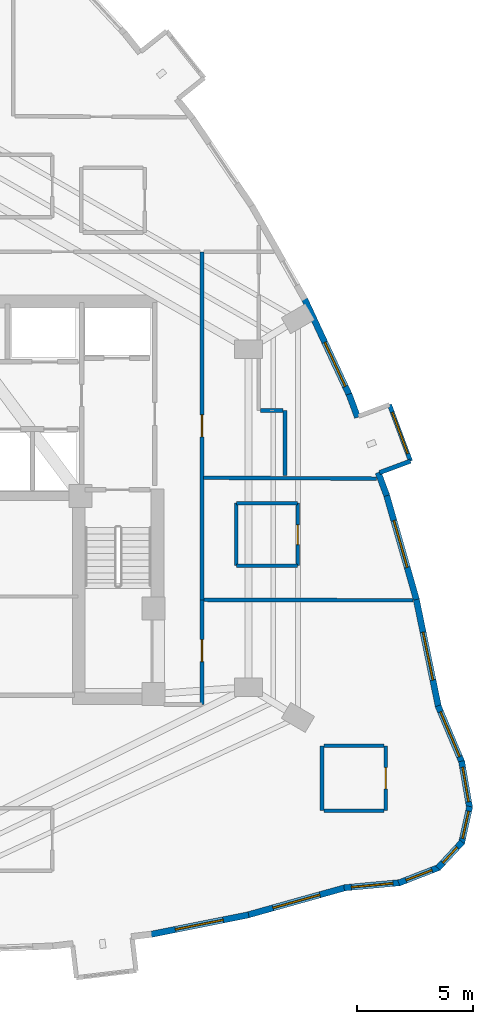
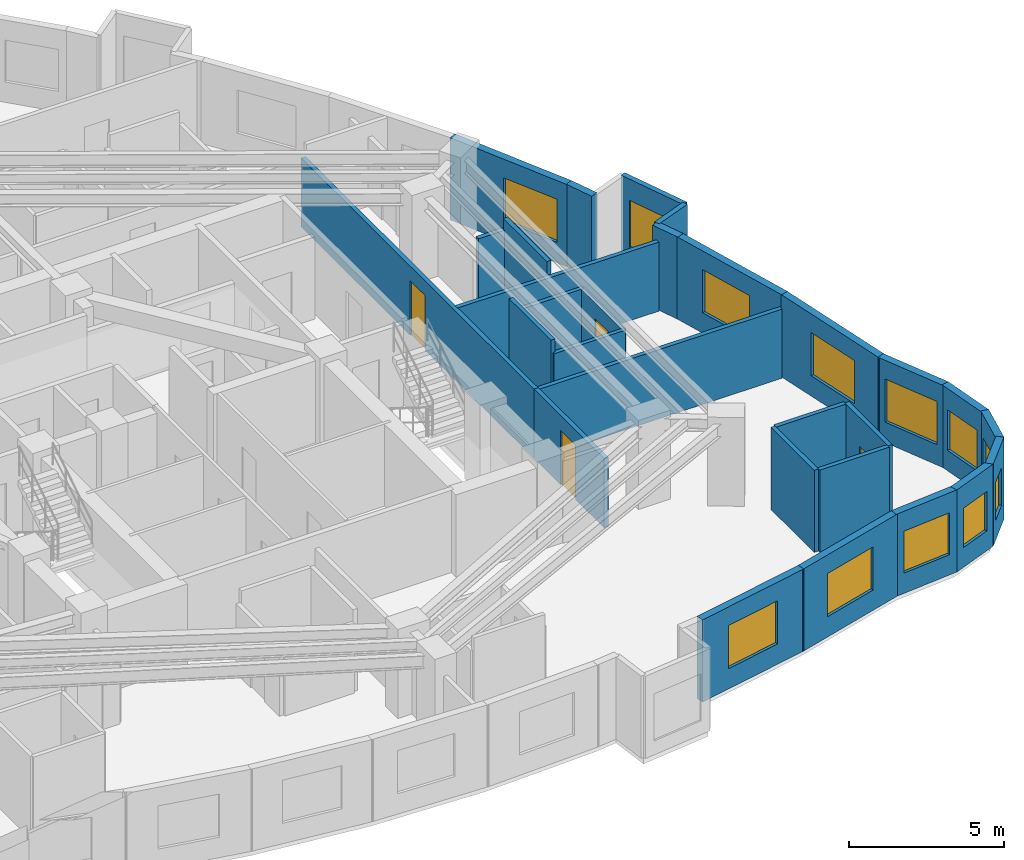
# One storey, part 9 of 12: 29 walls, 12 windows, 4 doors, 16 openings.
"""IFC4 building model written with IfcOpenShell, lengths in metres."""

from ifc_helpers import new_model, si_unit, direction, frame, frame_2d, origin, place, context, subcontext, project, spatial, rectangle, extrude, material, layer, layer_set, type_object, element, fill, save


model = new_model("IFC4")

# Units and contexts
model_context = context("Model", 3, precision=1e-05, world=origin(), true_north=direction((0.0, 1.0)))
body_context = subcontext(model_context, "Body", "Model", "MODEL_VIEW")
ifc_project = project(units=[si_unit("LENGTHUNIT", "METRE"), si_unit("AREAUNIT", "SQUARE_METRE"), si_unit("VOLUMEUNIT", "CUBIC_METRE"), si_unit("PLANEANGLEUNIT", "RADIAN"), si_unit("MASSUNIT", "GRAM", prefix="KILO")], contexts=[model_context])

# Site, building, storey
site_placement = place(None, origin())
site = spatial("IfcSite", under=ifc_project, at=site_placement, CompositionType="ELEMENT")
building_placement = place(site_placement, origin())
building = spatial("IfcBuilding", under=site, at=building_placement, Name="Miruveldt Soraemaru", CompositionType="ELEMENT")
storey_placement = place(building_placement, frame((0.0, 0.0, 103.89990234375)))
storey = spatial("IfcBuildingStorey", under=building, at=storey_placement, Name="L28", CompositionType="ELEMENT", Elevation=103.89990234375)

# Wall
ifc_material_1 = material(Name="White powder-coated aluminium EN AW-6060 T6", Category="aluminium")
ifc_layer_1 = layer(ifc_material_1, 0.18994140625, Name="White powder-coated aluminium EN AW-6060 T6", Category="aluminium")
ifc_layer_set_1 = layer_set([ifc_layer_1], Name="White powder-coated aluminium EN AW-6060 T6")
wall_type_1 = type_object("IfcWallType", Name="WALL-BAY-ALU190", PredefinedType="SOLIDWALL", material=ifc_layer_set_1)
wall_1_placement = place(storey_placement, frame((62.263671875, 45.063232421875, 0.0), z_axis=(0.0, 0.0, 1.0), x_axis=(0.937073323404, 0.34913262031, 0.0)))
element("IfcWall", 1, at=wall_1_placement, inside=storey, type_object=wall_type_1, Name="L28 Bay Window Side Cheek 2L", PredefinedType="SOLIDWALL", context=body_context, shape_type="SweptSolid", body=[
    extrude(rectangle(XDim=1.425048828125, YDim=0.18994140625, at=frame_2d((0.71240234375, 0.0))), origin(), (0.0, 0.0, 1.0), 3.235107421875),
])

# Wall, opening, window
wall_2_placement = place(storey_placement, frame((63.59912109375, 45.560791015625, 0.0), z_axis=(0.0, 0.0, 1.0), x_axis=(-0.349023333144, 0.937114034107, 0.0)))
wall_2 = element("IfcWall", 2, at=wall_2_placement, inside=storey, type_object=wall_type_1, Name="L28 Bay Window Front Frame 2", PredefinedType="SOLIDWALL", context=body_context, shape_type="SweptSolid", body=[
    extrude(rectangle(XDim=2.60009765625, YDim=0.18994140625, at=frame_2d((1.300048828125, 0.0))), origin(), (0.0, 0.0, 1.0), 3.235107421875),
])
opening_1_placement = place(wall_2_placement, frame((0.35009765625, 0.0, 0.550048828125)))
opening_1 = element("IfcOpeningElement", 3, at=opening_1_placement, cuts=wall_2, Name="Opening WN-6", PredefinedType="OPENING", context=body_context, shape_type="SweptSolid", body=[
    extrude(rectangle(XDim=1.89990234375, YDim=1.85009765625, at=frame_2d((0.949951171875, 0.925048828125))), frame((0.0, 0.10498046875, 0.0), z_axis=(0.0, -1.0, 0.0), x_axis=(1.0, 0.0, 0.0)), (0.0, 0.0, 1.0), 0.2099609375),
])
ifc_material_2 = material(Name="Triple low-e insulated glazing", Category="glass")
window_type_1 = type_object("IfcWindowType", Name="WIN-BAYW-1900x1850", PartitioningType="SINGLE_PANEL", PredefinedType="WINDOW", material=ifc_material_2)
window_1_placement = place(opening_1_placement, origin())
window_1 = element("IfcWindow", 4, at=window_1_placement, inside=storey, type_object=window_type_1, Name="L28 Projecting Bay Window 2", OverallHeight=1.85009765625, OverallWidth=1.89990234375, PartitioningType="SINGLE_PANEL", PredefinedType="WINDOW", context=body_context, shape_type="SweptSolid", body=[
    extrude(rectangle(XDim=1.89990234375, YDim=1.85009765625, at=frame_2d((0.949951171875, 0.925048828125))), frame((0.0, 0.030029296875, 0.0), z_axis=(0.0, -1.0, 0.0), x_axis=(1.0, 0.0, 0.0)), (0.0, 0.0, 1.0), 0.06005859375),
])
fill(opening_1, window_1)

ifc_material_3 = material(Name="Precast concrete C45/55 (45 MPa)", Category="concrete")
ifc_layer_2 = layer(ifc_material_3, 0.27001953125, Name="Precast concrete C45/55 (45 MPa)", Category="concrete")
ifc_layer_set_2 = layer_set([ifc_layer_2], Name="Precast concrete C45/55 (45 MPa)")
wall_type_2 = type_object("IfcWallType", Name="WALL-EXT-PC270", PredefinedType="SOLIDWALL", material=ifc_layer_set_2)
wall_3_placement = place(storey_placement, frame((52.3505859375, 25.12060546875, 0.0), z_axis=(0.0, 0.0, 1.0), x_axis=(0.98057635362, 0.196137744255, 0.0)))
wall_3 = element("IfcWall", 5, at=wall_3_placement, inside=storey, type_object=wall_type_2, Name="L28 Precast Concrete Facade Wall 27", PredefinedType="SOLIDWALL", context=body_context, shape_type="SweptSolid", body=[
    extrude(rectangle(XDim=4.345458984375, YDim=0.27001953125, at=frame_2d((2.1728515625, 0.0))), origin(), (0.0, 0.0, 1.0), 3.235107421875),
])
opening_2_placement = place(wall_3_placement, frame((1.1220703125, 0.0, 0.800048828125)))
opening_2 = element("IfcOpeningElement", 6, at=opening_2_placement, cuts=wall_3, Name="Opening WN-1", PredefinedType="OPENING", context=body_context, shape_type="SweptSolid", body=[
    extrude(rectangle(XDim=2.10009765625, YDim=1.699951171875, at=frame_2d((1.050048828125, 0.85009765625))), frame((0.0, 0.14501953125, 0.0), z_axis=(0.0, -1.0, 0.0), x_axis=(1.0, 0.0, 0.0)), (0.0, 0.0, 1.0), 0.2900390625),
])
window_type_2 = type_object("IfcWindowType", Name="WIN-PUNCH-2100x1700", PartitioningType="SINGLE_PANEL", PredefinedType="WINDOW", material=ifc_material_2)
window_2_placement = place(opening_2_placement, origin())
window_2 = element("IfcWindow", 7, at=window_2_placement, inside=storey, type_object=window_type_2, Name="L28 Punched Triple-Glazed Window 27.1", OverallHeight=1.699951171875, OverallWidth=2.10009765625, PartitioningType="SINGLE_PANEL", PredefinedType="WINDOW", context=body_context, shape_type="SweptSolid", body=[
    extrude(rectangle(XDim=2.10009765625, YDim=1.699951171875, at=frame_2d((1.050048828125, 0.85009765625))), frame((0.0, 0.030029296875, 0.0), z_axis=(0.0, -1.0, 0.0), x_axis=(1.0, 0.0, 0.0)), (0.0, 0.0, 1.0), 0.06005859375),
])
fill(opening_2, window_2)

wall_4_placement = place(storey_placement, frame((56.54345703125, 25.956787109375, 0.0), z_axis=(0.0, 0.0, 1.0), x_axis=(0.962970324639, 0.269607406916, 0.0)))
wall_4 = element("IfcWall", 8, at=wall_4_placement, inside=storey, type_object=wall_type_2, Name="L28 Precast Concrete Facade Wall 28", PredefinedType="SOLIDWALL", context=body_context, shape_type="SweptSolid", body=[
    extrude(rectangle(XDim=4.423583984375, YDim=0.27001953125, at=frame_2d((2.2119140625, 0.0))), origin(), (0.0, 0.0, 1.0), 3.235107421875),
])
opening_3_placement = place(wall_4_placement, frame((1.162109375, 0.0, 0.800048828125)))
opening_3 = element("IfcOpeningElement", 9, at=opening_3_placement, cuts=wall_4, Name="Opening WN-1", PredefinedType="OPENING", context=body_context, shape_type="SweptSolid", body=[
    extrude(rectangle(XDim=2.10009765625, YDim=1.699951171875, at=frame_2d((1.050048828125, 0.85009765625))), frame((0.0, 0.14501953125, 0.0), z_axis=(0.0, -1.0, 0.0), x_axis=(1.0, 0.0, 0.0)), (0.0, 0.0, 1.0), 0.2900390625),
])
window_3_placement = place(opening_3_placement, origin())
window_3 = element("IfcWindow", 10, at=window_3_placement, inside=storey, type_object=window_type_2, Name="L28 Punched Triple-Glazed Window 28.1", OverallHeight=1.699951171875, OverallWidth=2.10009765625, PartitioningType="SINGLE_PANEL", PredefinedType="WINDOW", context=body_context, shape_type="SweptSolid", body=[
    extrude(rectangle(XDim=2.10009765625, YDim=1.699951171875, at=frame_2d((1.050048828125, 0.85009765625))), frame((0.0, 0.030029296875, 0.0), z_axis=(0.0, -1.0, 0.0), x_axis=(1.0, 0.0, 0.0)), (0.0, 0.0, 1.0), 0.06005859375),
])
fill(opening_3, window_3)

wall_5_placement = place(storey_placement, frame((60.734619140625, 27.13671875, 0.0), z_axis=(0.0, 0.0, 1.0), x_axis=(0.995757206461, 0.092019485874, 0.0)))
wall_5 = element("IfcWall", 11, at=wall_5_placement, inside=storey, type_object=wall_type_2, Name="L28 Precast Concrete Facade Wall 29", PredefinedType="SOLIDWALL", context=body_context, shape_type="SweptSolid", body=[
    extrude(rectangle(XDim=2.432861328125, YDim=0.27001953125, at=frame_2d((1.21630859375, 0.0))), origin(), (0.0, 0.0, 1.0), 3.235107421875),
])
opening_4_placement = place(wall_5_placement, frame((0.31689453125, 0.0, 0.800048828125)))
opening_4 = element("IfcOpeningElement", 12, at=opening_4_placement, cuts=wall_5, Name="Opening WN-2", PredefinedType="OPENING", context=body_context, shape_type="SweptSolid", body=[
    extrude(rectangle(XDim=1.800048828125, YDim=1.64990234375, at=frame_2d((0.89990234375, 0.824951171875))), frame((0.0, 0.14501953125, 0.0), z_axis=(0.0, -1.0, 0.0), x_axis=(1.0, 0.0, 0.0)), (0.0, 0.0, 1.0), 0.2900390625),
])
window_type_3 = type_object("IfcWindowType", Name="WIN-PUNCH-1800x1650", PartitioningType="SINGLE_PANEL", PredefinedType="WINDOW", material=ifc_material_2)
window_4_placement = place(opening_4_placement, origin())
window_4 = element("IfcWindow", 13, at=window_4_placement, inside=storey, type_object=window_type_3, Name="L28 Punched Triple-Glazed Window 29.1", OverallHeight=1.64990234375, OverallWidth=1.800048828125, PartitioningType="SINGLE_PANEL", PredefinedType="WINDOW", context=body_context, shape_type="SweptSolid", body=[
    extrude(rectangle(XDim=1.800048828125, YDim=1.64990234375, at=frame_2d((0.89990234375, 0.824951171875))), frame((0.0, 0.030029296875, 0.0), z_axis=(0.0, -1.0, 0.0), x_axis=(1.0, 0.0, 0.0)), (0.0, 0.0, 1.0), 0.06005859375),
])
fill(opening_4, window_4)

wall_6_placement = place(storey_placement, frame((63.08984375, 27.344482421875, 0.0), z_axis=(0.0, 0.0, 1.0), x_axis=(0.932266214278, 0.361773003023, 0.0)))
wall_6 = element("IfcWall", 14, at=wall_6_placement, inside=storey, type_object=wall_type_2, Name="L28 Precast Concrete Facade Wall 30", PredefinedType="SOLIDWALL", context=body_context, shape_type="SweptSolid", body=[
    extrude(rectangle(XDim=1.872802734375, YDim=0.27001953125, at=frame_2d((0.9365234375, 0.0))), origin(), (0.0, 0.0, 1.0), 3.235107421875),
])
opening_5_placement = place(wall_6_placement, frame((0.3369140625, 0.0, 0.780029296875)))
opening_5 = element("IfcOpeningElement", 15, at=opening_5_placement, cuts=wall_6, Name="Opening WN-4", PredefinedType="OPENING", context=body_context, shape_type="SweptSolid", body=[
    extrude(rectangle(XDim=1.199951171875, YDim=1.550048828125, at=frame_2d((0.60009765625, 0.77490234375))), frame((0.0, 0.14501953125, 0.0), z_axis=(0.0, -1.0, 0.0), x_axis=(1.0, 0.0, 0.0)), (0.0, 0.0, 1.0), 0.2900390625),
])
window_type_4 = type_object("IfcWindowType", Name="WIN-PUNCH-1200x1550", PartitioningType="SINGLE_PANEL", PredefinedType="WINDOW", material=ifc_material_2)
window_5_placement = place(opening_5_placement, origin())
window_5 = element("IfcWindow", 16, at=window_5_placement, inside=storey, type_object=window_type_4, Name="L28 Punched Triple-Glazed Window 30.1", OverallHeight=1.550048828125, OverallWidth=1.199951171875, PartitioningType="SINGLE_PANEL", PredefinedType="WINDOW", context=body_context, shape_type="SweptSolid", body=[
    extrude(rectangle(XDim=1.199951171875, YDim=1.550048828125, at=frame_2d((0.60009765625, 0.77490234375))), frame((0.0, 0.030029296875, 0.0), z_axis=(0.0, -1.0, 0.0), x_axis=(1.0, 0.0, 0.0)), (0.0, 0.0, 1.0), 0.06005859375),
])
fill(opening_5, window_5)

wall_7_placement = place(storey_placement, frame((64.779296875, 27.983642578125, 0.0), z_axis=(0.0, 0.0, 1.0), x_axis=(0.68019166937, 0.733034305418, 0.0)))
wall_7 = element("IfcWall", 17, at=wall_7_placement, inside=storey, type_object=wall_type_2, Name="L28 Precast Concrete Facade Wall 31", PredefinedType="SOLIDWALL", context=body_context, shape_type="SweptSolid", body=[
    extrude(rectangle(XDim=1.552490234375, YDim=0.27001953125, at=frame_2d((0.7763671875, 0.0))), origin(), (0.0, 0.0, 1.0), 3.235107421875),
])
opening_6_placement = place(wall_7_placement, frame((0.325927734375, 0.0, 0.780029296875)))
opening_6 = element("IfcOpeningElement", 18, at=opening_6_placement, cuts=wall_7, Name="Opening WN-7", PredefinedType="OPENING", context=body_context, shape_type="SweptSolid", body=[
    extrude(rectangle(XDim=0.89990234375, YDim=1.5, at=frame_2d((0.449951171875, 0.75))), frame((0.0, 0.14501953125, 0.0), z_axis=(0.0, -1.0, 0.0), x_axis=(1.0, 0.0, 0.0)), (0.0, 0.0, 1.0), 0.2900390625),
])
window_type_5 = type_object("IfcWindowType", Name="WIN-PUNCH-900x1500", PartitioningType="SINGLE_PANEL", PredefinedType="WINDOW", material=ifc_material_2)
window_6_placement = place(opening_6_placement, origin())
window_6 = element("IfcWindow", 19, at=window_6_placement, inside=storey, type_object=window_type_5, Name="L28 Punched Triple-Glazed Window 31.1", OverallHeight=1.5, OverallWidth=0.89990234375, PartitioningType="SINGLE_PANEL", PredefinedType="WINDOW", context=body_context, shape_type="SweptSolid", body=[
    extrude(rectangle(XDim=0.89990234375, YDim=1.5, at=frame_2d((0.449951171875, 0.75))), frame((0.0, 0.030029296875, 0.0), z_axis=(0.0, -1.0, 0.0), x_axis=(1.0, 0.0, 0.0)), (0.0, 0.0, 1.0), 0.06005859375),
])
fill(opening_6, window_6)

wall_8_placement = place(storey_placement, frame((65.803955078125, 29.061767578125, 0.0), z_axis=(0.0, 0.0, 1.0), x_axis=(0.215628344591, 0.976475507634, 0.0)))
wall_8 = element("IfcWall", 20, at=wall_8_placement, inside=storey, type_object=wall_type_2, Name="L28 Precast Concrete Facade Wall 32", PredefinedType="SOLIDWALL", context=body_context, shape_type="SweptSolid", body=[
    extrude(rectangle(XDim=1.628173828125, YDim=0.27001953125, at=frame_2d((0.81396484375, 0.0))), origin(), (0.0, 0.0, 1.0), 3.235107421875),
])
opening_7_placement = place(wall_8_placement, frame((0.214111328125, 0.0, 0.780029296875)))
opening_7 = element("IfcOpeningElement", 21, at=opening_7_placement, cuts=wall_8, Name="Opening WN-4", PredefinedType="OPENING", context=body_context, shape_type="SweptSolid", body=[
    extrude(rectangle(XDim=1.199951171875, YDim=1.550048828125, at=frame_2d((0.60009765625, 0.77490234375))), frame((0.0, 0.14501953125, 0.0), z_axis=(0.0, -1.0, 0.0), x_axis=(1.0, 0.0, 0.0)), (0.0, 0.0, 1.0), 0.2900390625),
])
window_7_placement = place(opening_7_placement, origin())
window_7 = element("IfcWindow", 22, at=window_7_placement, inside=storey, type_object=window_type_4, Name="L28 Punched Triple-Glazed Window 32.1", OverallHeight=1.550048828125, OverallWidth=1.199951171875, PartitioningType="SINGLE_PANEL", PredefinedType="WINDOW", context=body_context, shape_type="SweptSolid", body=[
    extrude(rectangle(XDim=1.199951171875, YDim=1.550048828125, at=frame_2d((0.60009765625, 0.77490234375))), frame((0.0, 0.030029296875, 0.0), z_axis=(0.0, -1.0, 0.0), x_axis=(1.0, 0.0, 0.0)), (0.0, 0.0, 1.0), 0.06005859375),
])
fill(opening_7, window_7)

wall_9_placement = place(storey_placement, frame((66.1533203125, 30.5830078125, 0.0), z_axis=(0.0, 0.0, 1.0), x_axis=(-0.16931007095, 0.985562834057, 0.0)))
wall_9 = element("IfcWall", 23, at=wall_9_placement, inside=storey, type_object=wall_type_2, Name="L28 Precast Concrete Facade Wall 33", PredefinedType="SOLIDWALL", context=body_context, shape_type="SweptSolid", body=[
    extrude(rectangle(XDim=2.054931640625, YDim=0.27001953125, at=frame_2d((1.02734375, 0.0))), origin(), (0.0, 0.0, 1.0), 3.235107421875),
])
opening_8_placement = place(wall_9_placement, frame((0.278076171875, 0.0, 0.800048828125)))
opening_8 = element("IfcOpeningElement", 24, at=opening_8_placement, cuts=wall_9, Name="Opening WN-3", PredefinedType="OPENING", context=body_context, shape_type="SweptSolid", body=[
    extrude(rectangle(XDim=1.5, YDim=1.60009765625, at=frame_2d((0.75, 0.800048828125))), frame((0.0, 0.14501953125, 0.0), z_axis=(0.0, -1.0, 0.0), x_axis=(1.0, 0.0, 0.0)), (0.0, 0.0, 1.0), 0.2900390625),
])
window_type_6 = type_object("IfcWindowType", Name="WIN-PUNCH-1500x1600", PartitioningType="SINGLE_PANEL", PredefinedType="WINDOW", material=ifc_material_2)
window_8_placement = place(opening_8_placement, origin())
window_8 = element("IfcWindow", 25, at=window_8_placement, inside=storey, type_object=window_type_6, Name="L28 Punched Triple-Glazed Window 33.1", OverallHeight=1.60009765625, OverallWidth=1.5, PartitioningType="SINGLE_PANEL", PredefinedType="WINDOW", context=body_context, shape_type="SweptSolid", body=[
    extrude(rectangle(XDim=1.5, YDim=1.60009765625, at=frame_2d((0.75, 0.800048828125))), frame((0.0, 0.030029296875, 0.0), z_axis=(0.0, -1.0, 0.0), x_axis=(1.0, 0.0, 0.0)), (0.0, 0.0, 1.0), 0.06005859375),
])
fill(opening_8, window_8)

wall_10_placement = place(storey_placement, frame((65.824951171875, 32.54150390625, 0.0), z_axis=(0.0, 0.0, 1.0), x_axis=(-0.38867133727, 0.921376465721, 0.0)))
wall_10 = element("IfcWall", 26, at=wall_10_placement, inside=storey, type_object=wall_type_2, Name="L28 Precast Concrete Facade Wall 34", PredefinedType="SOLIDWALL", context=body_context, shape_type="SweptSolid", body=[
    extrude(rectangle(XDim=2.66455078125, YDim=0.27001953125, at=frame_2d((1.332275390625, 0.0))), origin(), (0.0, 0.0, 1.0), 3.235107421875),
])
opening_9_placement = place(wall_10_placement, frame((0.281982421875, 0.0, 0.800048828125)))
opening_9 = element("IfcOpeningElement", 27, at=opening_9_placement, cuts=wall_10, Name="Opening WN-1", PredefinedType="OPENING", context=body_context, shape_type="SweptSolid", body=[
    extrude(rectangle(XDim=2.10009765625, YDim=1.699951171875, at=frame_2d((1.050048828125, 0.85009765625))), frame((0.0, 0.14501953125, 0.0), z_axis=(0.0, -1.0, 0.0), x_axis=(1.0, 0.0, 0.0)), (0.0, 0.0, 1.0), 0.2900390625),
])
window_9_placement = place(opening_9_placement, origin())
window_9 = element("IfcWindow", 28, at=window_9_placement, inside=storey, type_object=window_type_2, Name="L28 Punched Triple-Glazed Window 34.1", OverallHeight=1.699951171875, OverallWidth=2.10009765625, PartitioningType="SINGLE_PANEL", PredefinedType="WINDOW", context=body_context, shape_type="SweptSolid", body=[
    extrude(rectangle(XDim=2.10009765625, YDim=1.699951171875, at=frame_2d((1.050048828125, 0.85009765625))), frame((0.0, 0.030029296875, 0.0), z_axis=(0.0, -1.0, 0.0), x_axis=(1.0, 0.0, 0.0)), (0.0, 0.0, 1.0), 0.06005859375),
])
fill(opening_9, window_9)

wall_11_placement = place(storey_placement, frame((64.81005859375, 34.93017578125, 0.0), z_axis=(0.0, 0.0, 1.0), x_axis=(-0.201557182252, 0.97947674923, 0.0)))
wall_11 = element("IfcWall", 29, at=wall_11_placement, inside=storey, type_object=wall_type_2, Name="L28 Precast Concrete Facade Wall 35", PredefinedType="SOLIDWALL", context=body_context, shape_type="SweptSolid", body=[
    extrude(rectangle(XDim=4.82080078125, YDim=0.27001953125, at=frame_2d((2.410400390625, 0.0))), origin(), (0.0, 0.0, 1.0), 3.235107421875),
])
opening_10_placement = place(wall_11_placement, frame((1.2060546875, 0.0, 0.800048828125)))
opening_10 = element("IfcOpeningElement", 30, at=opening_10_placement, cuts=wall_11, Name="Opening WN-1", PredefinedType="OPENING", context=body_context, shape_type="SweptSolid", body=[
    extrude(rectangle(XDim=2.10009765625, YDim=1.699951171875, at=frame_2d((1.050048828125, 0.85009765625))), frame((0.0, 0.14501953125, 0.0), z_axis=(0.0, -1.0, 0.0), x_axis=(1.0, 0.0, 0.0)), (0.0, 0.0, 1.0), 0.2900390625),
])
window_10_placement = place(opening_10_placement, origin())
window_10 = element("IfcWindow", 31, at=window_10_placement, inside=storey, type_object=window_type_2, Name="L28 Punched Triple-Glazed Window 35.1", OverallHeight=1.699951171875, OverallWidth=2.10009765625, PartitioningType="SINGLE_PANEL", PredefinedType="WINDOW", context=body_context, shape_type="SweptSolid", body=[
    extrude(rectangle(XDim=2.10009765625, YDim=1.699951171875, at=frame_2d((1.050048828125, 0.85009765625))), frame((0.0, 0.030029296875, 0.0), z_axis=(0.0, -1.0, 0.0), x_axis=(1.0, 0.0, 0.0)), (0.0, 0.0, 1.0), 0.06005859375),
])
fill(opening_10, window_10)

wall_12_placement = place(storey_placement, frame((63.85498046875, 39.583984375, 0.0), z_axis=(0.0, 0.0, 1.0), x_axis=(-0.274932196805, 0.961463617179, 0.0)))
wall_12 = element("IfcWall", 32, at=wall_12_placement, inside=storey, type_object=wall_type_2, Name="L28 Precast Concrete Facade Wall 36", PredefinedType="SOLIDWALL", context=body_context, shape_type="SweptSolid", body=[
    extrude(rectangle(XDim=4.73583984375, YDim=0.27001953125, at=frame_2d((2.367919921875, 0.0))), origin(), (0.0, 0.0, 1.0), 3.235107421875),
])
opening_11_placement = place(wall_12_placement, frame((1.444091796875, 0.0, 0.800048828125)))
opening_11 = element("IfcOpeningElement", 33, at=opening_11_placement, cuts=wall_12, Name="Opening WN-1", PredefinedType="OPENING", context=body_context, shape_type="SweptSolid", body=[
    extrude(rectangle(XDim=2.10009765625, YDim=1.699951171875, at=frame_2d((1.050048828125, 0.85009765625))), frame((0.0, 0.14501953125, 0.0), z_axis=(0.0, -1.0, 0.0), x_axis=(1.0, 0.0, 0.0)), (0.0, 0.0, 1.0), 0.2900390625),
])
window_11_placement = place(opening_11_placement, origin())
window_11 = element("IfcWindow", 34, at=window_11_placement, inside=storey, type_object=window_type_2, Name="L28 Punched Triple-Glazed Window 36.1", OverallHeight=1.699951171875, OverallWidth=2.10009765625, PartitioningType="SINGLE_PANEL", PredefinedType="WINDOW", context=body_context, shape_type="SweptSolid", body=[
    extrude(rectangle(XDim=2.10009765625, YDim=1.699951171875, at=frame_2d((1.050048828125, 0.85009765625))), frame((0.0, 0.030029296875, 0.0), z_axis=(0.0, -1.0, 0.0), x_axis=(1.0, 0.0, 0.0)), (0.0, 0.0, 1.0), 0.06005859375),
])
fill(opening_11, window_11)

# Walls
for number, where, z_axis, x_axis, name in (
    (35, (62.57470703125, 44.070556640625, 0.0), (0.0, 0.0, 1.0), (-0.348994974881, 0.937124595509, 0.0), "L28 Precast Pier Wall 37A"),
    (36, (61.315185546875, 47.452392578125, 0.0), (0.0, 0.0, 1.0), (-0.348994974881, 0.937124595509, 0.0), "L28 Precast Pier Wall 37B"),
):
    element("IfcWall", number, at=place(storey_placement, frame(where, z_axis=z_axis, x_axis=x_axis)), inside=storey, type_object=wall_type_2, Name=name, PredefinedType="SOLIDWALL", context=body_context, shape_type="SweptSolid", body=[
        extrude(rectangle(XDim=1.06884765625, YDim=0.27001953125, at=frame_2d((0.534423828125, 0.0))), origin(), (0.0, 0.0, 1.0), 3.235107421875),
    ])

# Wall, opening, window
wall_13_placement = place(storey_placement, frame((60.968994140625, 48.3896484375, 0.0), z_axis=(0.0, 0.0, 1.0), x_axis=(-0.422316092013, 0.906448629778, 0.0)))
wall_13 = element("IfcWall", 37, at=wall_13_placement, inside=storey, type_object=wall_type_2, Name="L28 Precast Concrete Facade Wall 38", PredefinedType="SOLIDWALL", context=body_context, shape_type="SweptSolid", body=[
    extrude(rectangle(XDim=4.6484375, YDim=0.27001953125, at=frame_2d((2.32421875, 0.0))), origin(), (0.0, 0.0, 1.0), 3.235107421875),
])
opening_12_placement = place(wall_13_placement, frame((0.43896484375, 0.0, 0.800048828125)))
opening_12 = element("IfcOpeningElement", 38, at=opening_12_placement, cuts=wall_13, Name="Opening WN-1", PredefinedType="OPENING", context=body_context, shape_type="SweptSolid", body=[
    extrude(rectangle(XDim=2.10009765625, YDim=1.699951171875, at=frame_2d((1.050048828125, 0.85009765625))), frame((0.0, 0.14501953125, 0.0), z_axis=(0.0, -1.0, 0.0), x_axis=(1.0, 0.0, 0.0)), (0.0, 0.0, 1.0), 0.2900390625),
])
window_12_placement = place(opening_12_placement, origin())
window_12 = element("IfcWindow", 39, at=window_12_placement, inside=storey, type_object=window_type_2, Name="L28 Punched Triple-Glazed Window 38.1", OverallHeight=1.699951171875, OverallWidth=2.10009765625, PartitioningType="SINGLE_PANEL", PredefinedType="WINDOW", context=body_context, shape_type="SweptSolid", body=[
    extrude(rectangle(XDim=2.10009765625, YDim=1.699951171875, at=frame_2d((1.050048828125, 0.85009765625))), frame((0.0, 0.030029296875, 0.0), z_axis=(0.0, -1.0, 0.0), x_axis=(1.0, 0.0, 0.0)), (0.0, 0.0, 1.0), 0.06005859375),
])
fill(opening_12, window_12)

# Wall, opening, door
ifc_material_4 = material(Name="Gypsum plasterboard lining", Category="gypsum")
ifc_layer_3 = layer(ifc_material_4, 0.14990234375, Name="Gypsum plasterboard lining", Category="gypsum")
ifc_layer_set_3 = layer_set([ifc_layer_3], Name="Gypsum plasterboard lining")
wall_type_3 = type_object("IfcWallType", Name="WALL-INT-PLUMB", PredefinedType="PLUMBINGWALL", material=ifc_layer_set_3)
wall_14_placement = place(storey_placement, frame((58.72998046875, 41.049072265625, 0.0), z_axis=(0.0, 0.0, 1.0), x_axis=(0.0, 1.0, 0.0)))
wall_14 = element("IfcWall", 40, at=wall_14_placement, inside=storey, type_object=wall_type_3, Name="L28 Partition Wall 59", PredefinedType="PLUMBINGWALL", context=body_context, shape_type="SweptSolid", body=[
    extrude(rectangle(XDim=2.699951171875, YDim=0.14990234375, at=frame_2d((1.35009765625, 0.0))), origin(), (0.0, 0.0, 1.0), 2.72314453125),
])
opening_13_placement = place(wall_14_placement, frame((0.909912109375, 0.0, 0.0)))
opening_13 = element("IfcOpeningElement", 41, at=opening_13_placement, cuts=wall_14, Name="Opening FD3", PredefinedType="OPENING", context=body_context, shape_type="SweptSolid", body=[
    extrude(rectangle(XDim=0.85009765625, YDim=2.10009765625, at=frame_2d((0.425048828125, 1.050048828125))), frame((0.0, 0.0849609375, 0.0), z_axis=(0.0, -1.0, 0.0), x_axis=(1.0, 0.0, 0.0)), (0.0, 0.0, 1.0), 0.169921875),
])
ifc_material_5 = material(Name="Anodised aluminium EN AW-6063 T6", Category="aluminium")
door_type_1 = type_object("IfcDoorType", Name="DOOR-FD3-850", OperationType="NOTDEFINED", PredefinedType="DOOR", material=ifc_material_5)
door_1_placement = place(opening_13_placement, origin())
door_1 = element("IfcDoor", 42, at=door_1_placement, inside=storey, type_object=door_type_1, Name="L28 Unit 2805 BTH Door", OperationType="SINGLE_SWING_RIGHT", OverallHeight=2.10009765625, OverallWidth=0.85009765625, PredefinedType="DOOR", context=body_context, shape_type="SweptSolid", body=[
    extrude(rectangle(XDim=0.85009765625, YDim=2.10009765625, at=frame_2d((0.425048828125, 1.050048828125))), frame((0.0, 0.02490234375, 0.0), z_axis=(0.0, -1.0, 0.0), x_axis=(1.0, 0.0, 0.0)), (0.0, 0.0, 1.0), 0.050048828125),
])
fill(opening_13, door_1)

# Walls
wall_15_placement = place(storey_placement, frame((56.080078125, 43.7490234375, 0.0), z_axis=(0.0, 0.0, 1.0), x_axis=(0.0, -1.0, 0.0)))
element("IfcWall", 43, at=wall_15_placement, inside=storey, type_object=wall_type_3, Name="L28 Partition Wall 61", PredefinedType="PLUMBINGWALL", context=body_context, shape_type="SweptSolid", body=[
    extrude(rectangle(XDim=2.699951171875, YDim=0.14990234375, at=frame_2d((1.35009765625, 0.0))), origin(), (0.0, 0.0, 1.0), 3.235107421875),
])
for number, where, z_axis, x_axis, name in (
    (44, (58.72998046875, 43.7490234375, 0.0), (0.0, 0.0, 1.0), (-1.0, 0.0, 0.0), "L28 Partition Wall 60"),
    (45, (56.080078125, 41.049072265625, 0.0), (0.0, 0.0, 1.0), (1.0, 0.0, 0.0), "L28 Partition Wall 62"),
):
    element("IfcWall", number, at=place(storey_placement, frame(where, z_axis=z_axis, x_axis=x_axis)), inside=storey, type_object=wall_type_3, Name=name, PredefinedType="PLUMBINGWALL", context=body_context, shape_type="SweptSolid", body=[
        extrude(rectangle(XDim=2.64990234375, YDim=0.14990234375, at=frame_2d((1.324951171875, 0.0))), origin(), (0.0, 0.0, 1.0), 2.72314453125),
    ])

# Wall, opening, door
ifc_material_6 = material(Name="Concrete C40/50 (40 MPa)", Category="concrete")
ifc_layer_4 = layer(ifc_material_6, 0.159912109375, Name="Concrete C40/50 (40 MPa)", Category="concrete")
ifc_layer_set_4 = layer_set([ifc_layer_4], Name="Concrete C40/50 (40 MPa)")
wall_type_4 = type_object("IfcWallType", Name="WALL-INT-RC160", PredefinedType="SOLIDWALL", material=ifc_layer_set_4)
wall_16_placement = place(storey_placement, frame((54.60009765625, 39.571044921875, 0.0), z_axis=(0.0, 0.0, 1.0), x_axis=(0.0, 1.0, 0.0)))
wall_16 = element("IfcWall", 46, at=wall_16_placement, inside=storey, type_object=wall_type_4, Name="L28 Partition Wall 6", PredefinedType="SOLIDWALL", context=body_context, shape_type="SweptSolid", body=[
    extrude(rectangle(XDim=15.02392578125, YDim=0.159912109375, at=frame_2d((7.511962890625, 0.0))), origin(), (0.0, 0.0, 1.0), 2.72314453125),
])
opening_14_placement = place(wall_16_placement, frame((7.037109375, 0.0, 0.0)))
opening_14 = element("IfcOpeningElement", 47, at=opening_14_placement, cuts=wall_16, Name="Opening FD2", PredefinedType="OPENING", context=body_context, shape_type="SweptSolid", body=[
    extrude(rectangle(XDim=0.949951171875, YDim=2.14990234375, at=frame_2d((0.47509765625, 1.074951171875))), frame((0.0, 0.08984375, 0.0), z_axis=(0.0, -1.0, 0.0), x_axis=(1.0, 0.0, 0.0)), (0.0, 0.0, 1.0), 0.179931640625),
])
door_type_2 = type_object("IfcDoorType", Name="DOOR-FD2-950", OperationType="NOTDEFINED", PredefinedType="DOOR", material=ifc_material_5)
door_2_placement = place(opening_14_placement, origin())
door_2 = element("IfcDoor", 48, at=door_2_placement, inside=storey, type_object=door_type_2, Name="L28 Unit 2805 Entrance Fire Door", OperationType="SINGLE_SWING_LEFT", OverallHeight=2.14990234375, OverallWidth=0.949951171875, PredefinedType="DOOR", context=body_context, shape_type="SweptSolid", body=[
    extrude(rectangle(XDim=0.949951171875, YDim=2.14990234375, at=frame_2d((0.47509765625, 1.074951171875))), frame((0.0, 0.02490234375, 0.0), z_axis=(0.0, -1.0, 0.0), x_axis=(1.0, 0.0, 0.0)), (0.0, 0.0, 1.0), 0.050048828125),
])
fill(opening_14, door_2)

wall_17_placement = place(storey_placement, frame((54.60009765625, 35.050048828125, 0.0), z_axis=(0.0, 0.0, 1.0), x_axis=(0.0, 1.0, 0.0)))
wall_17 = element("IfcWall", 49, at=wall_17_placement, inside=storey, type_object=wall_type_4, Name="L28 Partition Wall 5", PredefinedType="SOLIDWALL", context=body_context, shape_type="SweptSolid", body=[
    extrude(rectangle(XDim=4.51904296875, YDim=0.159912109375, at=frame_2d((2.259521484375, 0.0))), origin(), (0.0, 0.0, 1.0), 2.735107421875),
])
opening_15_placement = place(wall_17_placement, frame((1.85498046875, 0.0, 0.0)))
opening_15 = element("IfcOpeningElement", 50, at=opening_15_placement, cuts=wall_17, Name="Opening FD2", PredefinedType="OPENING", context=body_context, shape_type="SweptSolid", body=[
    extrude(rectangle(XDim=0.949951171875, YDim=2.14990234375, at=frame_2d((0.47509765625, 1.074951171875))), frame((0.0, 0.08984375, 0.0), z_axis=(0.0, -1.0, 0.0), x_axis=(1.0, 0.0, 0.0)), (0.0, 0.0, 1.0), 0.179931640625),
])
door_3_placement = place(opening_15_placement, origin())
door_3 = element("IfcDoor", 51, at=door_3_placement, inside=storey, type_object=door_type_2, Name="L28 Unit CL04 Entrance Fire Door", OperationType="SINGLE_SWING_RIGHT", OverallHeight=2.14990234375, OverallWidth=0.949951171875, PredefinedType="DOOR", context=body_context, shape_type="SweptSolid", body=[
    extrude(rectangle(XDim=0.949951171875, YDim=2.14990234375, at=frame_2d((0.47509765625, 1.074951171875))), frame((0.0, 0.02490234375, 0.0), z_axis=(0.0, -1.0, 0.0), x_axis=(1.0, 0.0, 0.0)), (0.0, 0.0, 1.0), 0.050048828125),
])
fill(opening_15, door_3)

wall_18_placement = place(storey_placement, frame((62.530029296875, 30.468994140625, 0.0), z_axis=(0.0, 0.0, 1.0), x_axis=(0.0, 1.0, 0.0)))
wall_18 = element("IfcWall", 52, at=wall_18_placement, inside=storey, type_object=wall_type_4, Name="L28 Partition Wall 53", PredefinedType="SOLIDWALL", context=body_context, shape_type="SweptSolid", body=[
    extrude(rectangle(XDim=2.800048828125, YDim=0.159912109375, at=frame_2d((1.39990234375, 0.0))), origin(), (0.0, 0.0, 1.0), 3.235107421875),
])
opening_16_placement = place(wall_18_placement, frame((0.93994140625, 0.0, 0.0)))
opening_16 = element("IfcOpeningElement", 53, at=opening_16_placement, cuts=wall_18, Name="Opening D3A", PredefinedType="OPENING", context=body_context, shape_type="SweptSolid", body=[
    extrude(rectangle(XDim=0.919921875, YDim=2.10009765625, at=frame_2d((0.4599609375, 1.050048828125))), frame((0.0, 0.08984375, 0.0), z_axis=(0.0, -1.0, 0.0), x_axis=(1.0, 0.0, 0.0)), (0.0, 0.0, 1.0), 0.179931640625),
])
door_type_3 = type_object("IfcDoorType", Name="DOOR-INT-920", OperationType="NOTDEFINED", PredefinedType="DOOR", material=ifc_material_5)
door_4_placement = place(opening_16_placement, origin())
door_4 = element("IfcDoor", 54, at=door_4_placement, inside=storey, type_object=door_type_3, Name="L28 Unit CL04 KIT Door", OperationType="SINGLE_SWING_RIGHT", OverallHeight=2.10009765625, OverallWidth=0.919921875, PredefinedType="DOOR", context=body_context, shape_type="SweptSolid", body=[
    extrude(rectangle(XDim=0.919921875, YDim=2.10009765625, at=frame_2d((0.4599609375, 1.050048828125))), frame((0.0, 0.02490234375, 0.0), z_axis=(0.0, -1.0, 0.0), x_axis=(1.0, 0.0, 0.0)), (0.0, 0.0, 1.0), 0.050048828125),
])
fill(opening_16, door_4)

# Walls
wall_19_placement = place(storey_placement, frame((63.705078125, 39.554931640625, 0.0), z_axis=(0.0, 0.0, 1.0), x_axis=(-0.999998768308, 0.001569516928, 0.0)))
element("IfcWall", 55, at=wall_19_placement, inside=storey, type_object=wall_type_4, Name="L28 Partition Wall 57", PredefinedType="SOLIDWALL", context=body_context, shape_type="SweptSolid", body=[
    extrude(rectangle(XDim=9.02197265625, YDim=0.159912109375, at=frame_2d((4.510986328125, 0.0))), origin(), (0.0, 0.0, 1.0), 2.72314453125),
])
wall_20_placement = place(storey_placement, frame((62.14111328125, 44.804931640625, 0.0), z_axis=(0.0, 0.0, 1.0), x_axis=(-0.999987842371, 0.004931035341, 0.0)))
element("IfcWall", 56, at=wall_20_placement, inside=storey, type_object=wall_type_4, Name="L28 Partition Wall 74", PredefinedType="SOLIDWALL", context=body_context, shape_type="SweptSolid", body=[
    extrude(rectangle(XDim=7.47607421875, YDim=0.159912109375, at=frame_2d((3.738037109375, 0.0))), origin(), (0.0, 0.0, 1.0), 2.72314453125),
])
for number, where, z_axis, x_axis, name in (
    (57, (58.179931640625, 44.948974609375, 0.0), (0.0, 0.0, 1.0), (0.0, 1.0, 0.0), "L28 Partition Wall 63"),
    (58, (59.780029296875, 33.26904296875, 0.0), (0.0, 0.0, 1.0), (0.0, -1.0, 0.0), "L28 Partition Wall 55"),
):
    element("IfcWall", number, at=place(storey_placement, frame(where, z_axis=z_axis, x_axis=x_axis)), inside=storey, type_object=wall_type_4, Name=name, PredefinedType="SOLIDWALL", context=body_context, shape_type="SweptSolid", body=[
        extrude(rectangle(XDim=2.800048828125, YDim=0.159912109375, at=frame_2d((1.39990234375, 0.0))), origin(), (0.0, 0.0, 1.0), 3.235107421875),
    ])
for number, where, z_axis, x_axis, name in (
    (59, (62.449951171875, 33.26904296875, 0.0), (0.0, 0.0, 1.0), (-1.0, 0.0, 0.0), "L28 Partition Wall 54"),
    (60, (59.860107421875, 30.468994140625, 0.0), (0.0, 0.0, 1.0), (1.0, 0.0, 0.0), "L28 Partition Wall 56"),
):
    element("IfcWall", number, at=place(storey_placement, frame(where, z_axis=z_axis, x_axis=x_axis)), inside=storey, type_object=wall_type_4, Name=name, PredefinedType="SOLIDWALL", context=body_context, shape_type="SweptSolid", body=[
        extrude(rectangle(XDim=2.58984375, YDim=0.159912109375, at=frame_2d((1.294921875, 0.0))), origin(), (0.0, 0.0, 1.0), 3.235107421875),
    ])
wall_21_placement = place(storey_placement, frame((58.10009765625, 47.7490234375, 0.0), z_axis=(0.0, 0.0, 1.0), x_axis=(-1.0, 0.0, 0.0)))
element("IfcWall", 61, at=wall_21_placement, inside=storey, type_object=wall_type_4, Name="L28 Partition Wall 64", PredefinedType="SOLIDWALL", context=body_context, shape_type="SweptSolid", body=[
    extrude(rectangle(XDim=0.97021484375, YDim=0.159912109375, at=frame_2d((0.485107421875, 0.0))), origin(), (0.0, 0.0, 1.0), 2.822998046875),
])

save(model, "model.ifc")
